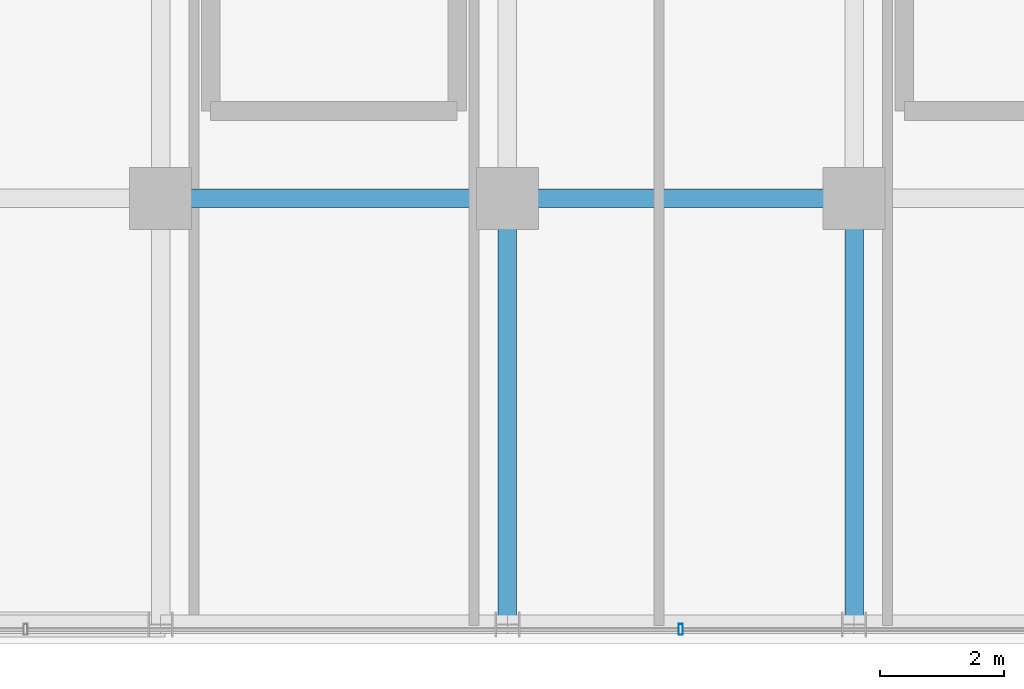
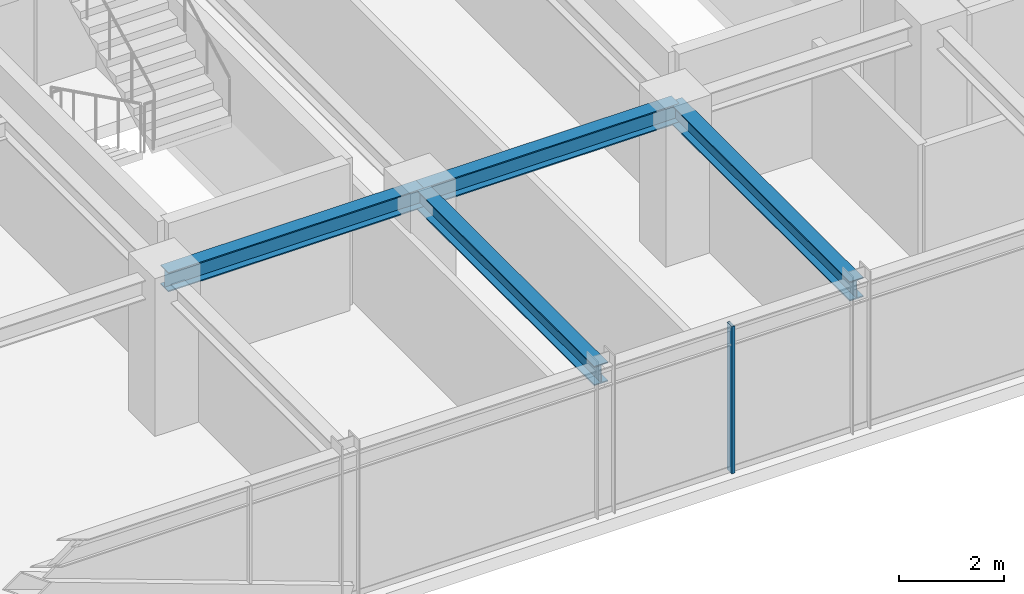
# One storey, part 8 of 36: 4 beams, 1 member, 1 element without a shape of its own.
"""IFC4 building model written with IfcOpenShell, lengths in metres."""

from ifc_helpers import new_model, si_unit, direction, frame, origin, origin_2d, place, context, subcontext, project, spatial, hollow_rectangle, i_section, extrude, source, transform, mapped, material, material_profile, profile_set, type_object, element, aggregate, save


model = new_model("IFC4")

# Units and contexts
model_context = context("Model", 3, precision=1e-05, world=origin(), true_north=direction((0.0, 1.0)))
body_context = subcontext(model_context, "Body", "Model", "MODEL_VIEW")
ifc_project = project(units=[si_unit("LENGTHUNIT", "METRE"), si_unit("AREAUNIT", "SQUARE_METRE"), si_unit("VOLUMEUNIT", "CUBIC_METRE"), si_unit("PLANEANGLEUNIT", "RADIAN"), si_unit("MASSUNIT", "GRAM", prefix="KILO")], contexts=[model_context])

# Site, building, storey
site_placement = place(None, origin())
site = spatial("IfcSite", under=ifc_project, at=site_placement, CompositionType="ELEMENT")
building_placement = place(site_placement, origin())
building = spatial("IfcBuilding", under=site, at=building_placement, Name="Nahalor Promenade Grand Hotel", CompositionType="ELEMENT")
storey_placement = place(building_placement, frame((0.0, 0.0, 219.699951171875)))
storey = spatial("IfcBuildingStorey", under=building, at=storey_placement, Name="L56", CompositionType="ELEMENT", Elevation=219.699951171875)

# Beams
ifc_material_1 = material(Name="Steel S355JR", Category="steel")
ifc_material_profile_1 = material_profile(ifc_material_1, i_section(OverallWidth=0.3, OverallDepth=0.45, WebThickness=0.014, FlangeThickness=0.026, at=origin_2d()), Name="HEB 450")
ifc_profile_set_1 = profile_set([ifc_material_profile_1], Name="Steel S355JR")
beam_type = type_object("IfcBeamType", Name="Beam-Girder-HEB450", PredefinedType="BEAM", material=ifc_profile_set_1)
shared_shape_1 = source(origin(), body_context, "Body", "SweptSolid", [
    extrude(i_section(OverallWidth=0.3, OverallDepth=0.45, WebThickness=0.014, FlangeThickness=0.026, at=origin_2d()), origin(), (0.0, 0.0, 1.0), 6.8798828125),
])
for number, where, z_axis, x_axis, name in (
    (1, (-2.800048828125, -23.8798828125, 3.18505859375), (0.0, 1.0, 0.0), (-1.0, 0.0, 0.0), "BM-L56-GY-2-0"),
    (2, (2.800048828125, -23.8798828125, 3.18505859375), (0.0, 1.0, 0.0), (-1.0, 0.0, 0.0), "BM-L56-GY-3-0"),
):
    element("IfcBeam", number, at=place(storey_placement, frame(where, z_axis=z_axis, x_axis=x_axis)), inside=storey, type_object=beam_type, Name=name, PredefinedType="BEAM", context=body_context, shape_type="MappedRepresentation", body=[
        mapped(shared_shape_1, transform((0.0, 0.0, 0.0), scale=1.0)),
    ])
shared_shape_2 = source(origin(), body_context, "Body", "SweptSolid", [
    extrude(i_section(OverallWidth=0.3, OverallDepth=0.45, WebThickness=0.014, FlangeThickness=0.026, at=origin_2d()), origin(), (0.0, 0.0, 1.0), 5.599853515625),
])
beam_1_placement = place(storey_placement, frame((-8.39990234375, -17.0, 3.18505859375), z_axis=(1.0, 0.0, 0.0), x_axis=(0.0, 1.0, 0.0)))
element("IfcBeam", 3, at=beam_1_placement, inside=storey, type_object=beam_type, Name="BM-L56-GX-0-2", PredefinedType="BEAM", context=body_context, shape_type="MappedRepresentation", body=[
    mapped(shared_shape_2, transform((0.0, 0.0, 0.0), scale=1.0)),
])
shared_shape_3 = source(origin(), body_context, "Body", "SweptSolid", [
    extrude(i_section(OverallWidth=0.3, OverallDepth=0.45, WebThickness=0.014, FlangeThickness=0.026, at=origin_2d()), origin(), (0.0, 0.0, 1.0), 5.60009765625),
])
beam_2_placement = place(storey_placement, frame((-2.800048828125, -17.0, 3.18505859375), z_axis=(1.0, 0.0, 0.0), x_axis=(0.0, 1.0, 0.0)))
element("IfcBeam", 4, at=beam_2_placement, inside=storey, type_object=beam_type, Name="BM-L56-GX-0-3", PredefinedType="BEAM", context=body_context, shape_type="MappedRepresentation", body=[
    mapped(shared_shape_3, transform((0.0, 0.0, 0.0), scale=1.0)),
])

# Curtain wall, member
ifc_material_2 = material(Name="Anodised Bronze Aluminium EN AW-6063 T6", Category="aluminium")
curtain_wall_type = type_object("IfcCurtainWallType", Name="CW2 Typical Hotel Flush Bronze Unitised Curtain Wall", PredefinedType="USERDEFINED", material=ifc_material_2)
curtain_wall_placement = place(storey_placement, origin())
curtain_wall = element("IfcCurtainWall", 5, at=curtain_wall_placement, inside=storey, type_object=curtain_wall_type, Name="L56 Curtain Wall CW-L56-S-1", ObjectType="UNITISED_CURTAIN_WALL", PredefinedType="USERDEFINED")
ifc_material_profile_2 = material_profile(ifc_material_2, hollow_rectangle(XDim=0.065, YDim=0.18, WallThickness=0.004, at=origin_2d()), Name="CWM 65x180x4")
ifc_profile_set_2 = profile_set([ifc_material_profile_2], Name="Anodised Bronze Aluminium EN AW-6063 T6")
member_type = type_object("IfcMemberType", Name="CWM2 Typical Bronze Mullion 65x180", PredefinedType="MULLION", material=ifc_profile_set_2)
shared_shape_4 = source(origin(), body_context, "Body", "SweptSolid", [
    extrude(hollow_rectangle(XDim=0.065, YDim=0.18, WallThickness=0.004, at=origin_2d()), origin(), (0.0, 0.0, 1.0), 3.41015625),
])
member_placement = place(storey_placement, frame((0.0, -23.9599609375, 0.0), z_axis=(0.0, 0.0, 1.0), x_axis=(1.0, 0.0, 0.0)))
member = element("IfcMember", 6, at=member_placement, type_object=member_type, Name="CW-L56-S-1 Mullion 2", PredefinedType="MULLION", context=body_context, shape_type="MappedRepresentation", body=[
    mapped(shared_shape_4, transform((0.0, 0.0, 0.0), scale=1.0)),
])
aggregate(curtain_wall, [member])

save(model, "model.ifc")
